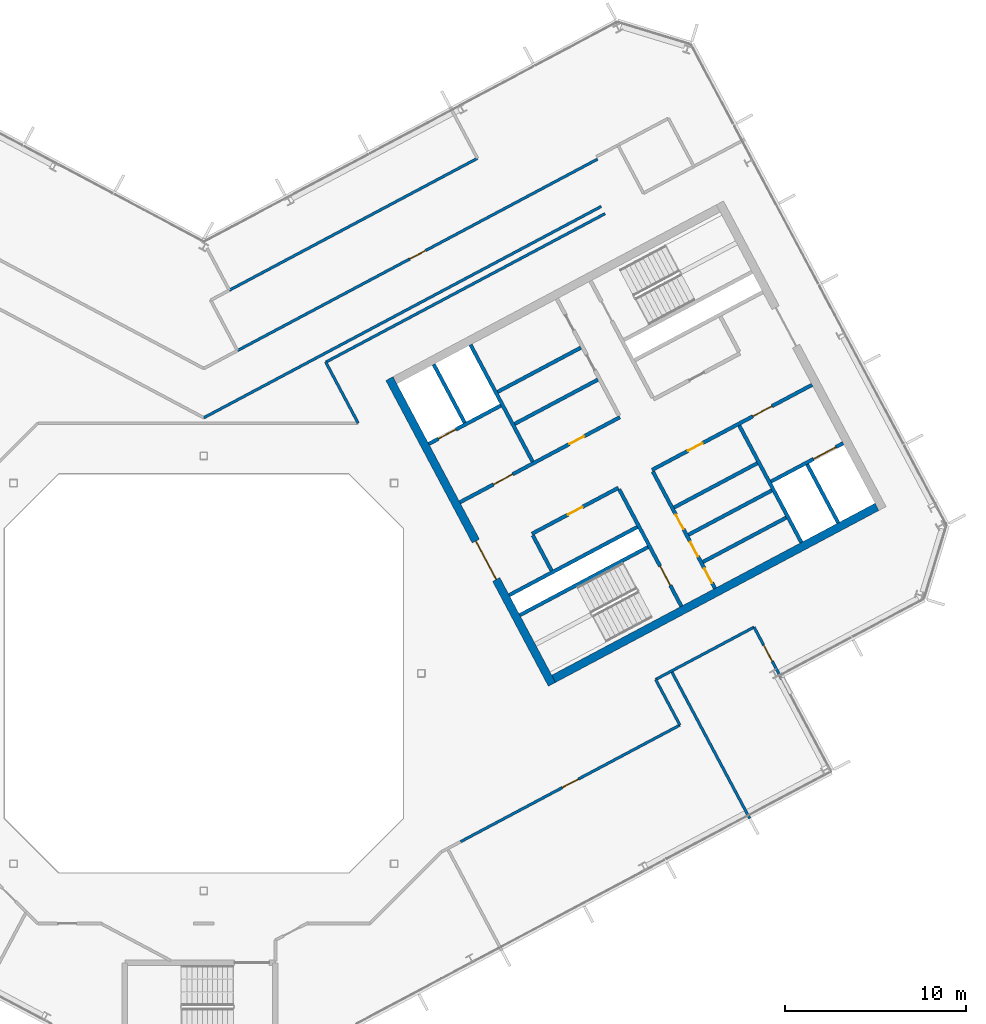
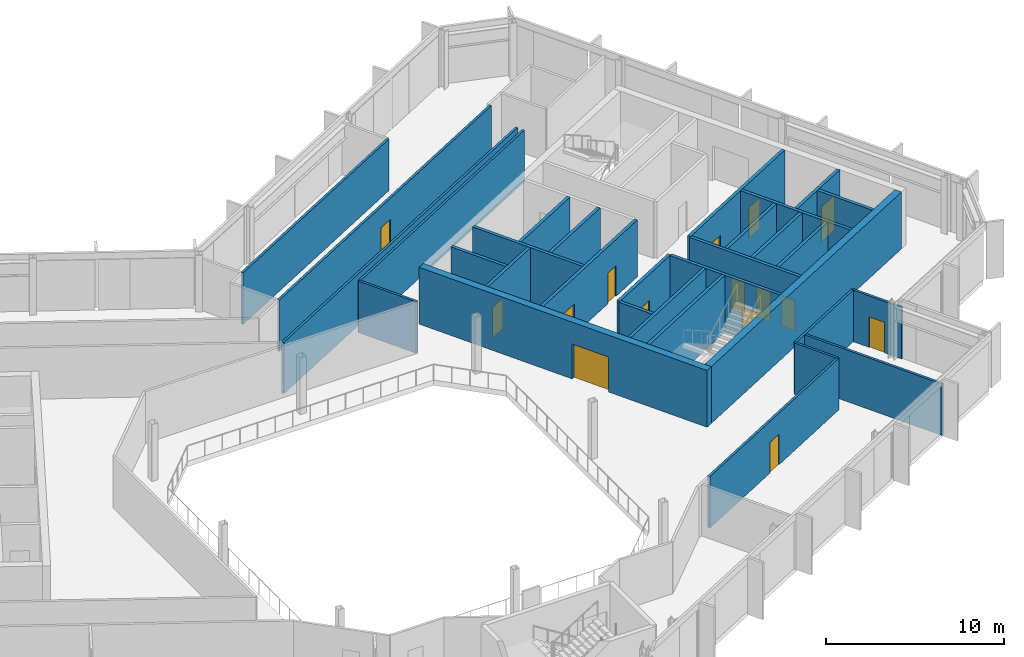
# One storey, part 15 of 25: 31 walls, 15 doors, 15 openings.
"""IFC4 building model written with IfcOpenShell, lengths in metres."""

from ifc_helpers import new_model, si_unit, direction, frame, frame_2d, origin, place, context, subcontext, project, spatial, rectangle, extrude, material, layer, layer_set, type_object, element, fill, save


model = new_model("IFC4")

# Units and contexts
model_context = context("Model", 3, precision=1e-05, world=origin(), true_north=direction((0.0, 1.0)))
body_context = subcontext(model_context, "Body", "Model", "MODEL_VIEW")
ifc_project = project(units=[si_unit("LENGTHUNIT", "METRE"), si_unit("AREAUNIT", "SQUARE_METRE"), si_unit("VOLUMEUNIT", "CUBIC_METRE"), si_unit("PLANEANGLEUNIT", "RADIAN"), si_unit("MASSUNIT", "GRAM", prefix="KILO")], contexts=[model_context])

# Site, building, storey
site_placement = place(None, origin())
site = spatial("IfcSite", under=ifc_project, at=site_placement, CompositionType="ELEMENT")
building_placement = place(site_placement, origin())
building = spatial("IfcBuilding", under=site, at=building_placement, Name="Cormorant Relay Tower", CompositionType="ELEMENT")
storey_placement = place(building_placement, frame((0.0, 0.0, 289.199951171875)))
storey = spatial("IfcBuildingStorey", under=building, at=storey_placement, Name="L65", CompositionType="ELEMENT", Elevation=289.199951171875)

# Walls
ifc_material_1 = material(Name="Concrete 40 MPa", Category="concrete")
ifc_layer_1 = layer(ifc_material_1, 0.199951171875)
ifc_layer_set_1 = layer_set([ifc_layer_1], Name="Core internal wall 200")
wall_type_1 = type_object("IfcWallType", Name="Core internal wall 200", PredefinedType="SOLIDWALL", material=ifc_layer_set_1)
for number, where, z_axis, x_axis, name in (
    (1, (27.537109375, 6.1474609375, 0.0), (0.0, 0.0, 1.0), (0.882934506056, 0.469496174655, 0.0), "L65 core B shaft and room wall"),
    (2, (26.739013671875, 7.6484375, 0.0), (0.0, 0.0, 1.0), (0.882934506056, 0.469496174655, 0.0), "L65 core B shaft and room wall"),
    (3, (16.2080078125, 15.526611328125, 0.0), (0.0, 0.0, 1.0), (0.882953967957, 0.469459572775, 0.0), "L65 core B shaft and room wall"),
):
    element("IfcWall", number, at=place(storey_placement, frame(where, z_axis=z_axis, x_axis=x_axis)), inside=storey, type_object=wall_type_1, Name=name, PredefinedType="SOLIDWALL", context=body_context, shape_type="SweptSolid", body=[
        extrude(rectangle(XDim=5.199951171875, YDim=0.199951171875, at=frame_2d((2.60009765625, 0.0))), origin(), (0.0, 0.0, 1.0), 3.900146484375),
    ])
ifc_material_2 = material(Name="Concrete 50 MPa", Category="concrete")
ifc_layer_2 = layer(ifc_material_2, 0.199951171875)
ifc_layer_set_2 = layer_set([ifc_layer_2], Name="Core shaft wall 200")
wall_type_2 = type_object("IfcWallType", Name="Core shaft wall 200", PredefinedType="SHEAR", material=ifc_layer_set_2)
wall_1_placement = place(storey_placement, frame((14.39404296875, 13.825927734375, 0.0), z_axis=(0.0, 0.0, 1.0), x_axis=(-0.469494272526, 0.882935517501, 0.0)))
element("IfcWall", 4, at=wall_1_placement, inside=storey, type_object=wall_type_2, Name="L65 core B shaft wall", PredefinedType="SHEAR", context=body_context, shape_type="SweptSolid", body=[
    extrude(rectangle(XDim=3.64990234375, YDim=0.199951171875, at=frame_2d((1.824951171875, 0.0))), origin(), (0.0, 0.0, 1.0), 3.900146484375),
])
wall_2_placement = place(storey_placement, frame((19.18359375, 5.669921875, 0.0), z_axis=(0.0, 0.0, 1.0), x_axis=(-0.4694473164, 0.882960484464, 0.0)))
element("IfcWall", 5, at=wall_2_placement, inside=storey, type_object=wall_type_2, Name="L65 core B shaft wall", PredefinedType="SHEAR", context=body_context, shape_type="SweptSolid", body=[
    extrude(rectangle(XDim=2.199951171875, YDim=0.199951171875, at=frame_2d((1.10009765625, 0.0))), origin(), (0.0, 0.0, 1.0), 3.900146484375),
])
wall_3_placement = place(storey_placement, frame((18.138427734375, 11.682861328125, 0.0), z_axis=(0.0, 0.0, 1.0), x_axis=(-0.469480409012, 0.88294288918, 0.0)))
element("IfcWall", 6, at=wall_3_placement, inside=storey, type_object=wall_type_2, Name="L65 core B shaft wall", PredefinedType="SHEAR", context=body_context, shape_type="SweptSolid", body=[
    extrude(rectangle(XDim=7.300048828125, YDim=0.199951171875, at=frame_2d((3.64990234375, 0.0))), origin(), (0.0, 0.0, 1.0), 3.900146484375),
])

# Wall, opening, door
wall_4_placement = place(storey_placement, frame((26.345947265625, 3.701904296875, 0.0), z_axis=(0.0, 0.0, 1.0), x_axis=(-0.469480409012, 0.88294288918, 0.0)))
wall_4 = element("IfcWall", 7, at=wall_4_placement, inside=storey, type_object=wall_type_2, Name="L65 core B shaft wall", PredefinedType="SHEAR", context=body_context, shape_type="SweptSolid", body=[
    extrude(rectangle(XDim=7.300048828125, YDim=0.199951171875, at=frame_2d((3.64990234375, 0.0))), origin(), (0.0, 0.0, 1.0), 3.900146484375),
])
opening_1_placement = place(wall_4_placement, frame((1.300048828125, 0.0, 0.0)))
opening_1 = element("IfcOpeningElement", 8, at=opening_1_placement, cuts=wall_4, Name="Opening CDB-040", PredefinedType="OPENING", context=body_context, shape_type="SweptSolid", body=[
    extrude(rectangle(XDim=1.199951171875, YDim=2.10009765625, at=frame_2d((0.60009765625, 1.050048828125))), frame((0.0, 0.10986328125, 0.0), z_axis=(0.0, -1.0, 0.0), x_axis=(1.0, 0.0, 0.0)), (0.0, 0.0, 1.0), 0.219970703125),
])
ifc_material_3 = material(Name="Steel fire door", Category="steel")
door_type_1 = type_object("IfcDoorType", Name="Core stair door 1200x2100", OperationType="SINGLE_SWING_LEFT", PredefinedType="DOOR", material=ifc_material_3)
door_1_placement = place(opening_1_placement, origin())
door_1 = element("IfcDoor", 9, at=door_1_placement, inside=storey, type_object=door_type_1, Name="Core stair door 1200x2100", OperationType="SINGLE_SWING_RIGHT", OverallHeight=2.10009765625, OverallWidth=1.199951171875, PredefinedType="DOOR", context=body_context, shape_type="SweptSolid", body=[
    extrude(rectangle(XDim=1.199951171875, YDim=2.10009765625, at=frame_2d((0.60009765625, 1.050048828125))), frame((0.0, 0.02490234375, 0.0), z_axis=(0.0, -1.0, 0.0), x_axis=(1.0, 0.0, 0.0)), (0.0, 0.0, 1.0), 0.050048828125),
])
fill(opening_1, door_1)

# Wall, openings, doors
wall_5_placement = place(storey_placement, frame((28.199951171875, 4.687744140625, 0.0), z_axis=(0.0, 0.0, 1.0), x_axis=(-0.469454336211, 0.882956752176, 0.0)))
wall_5 = element("IfcWall", 10, at=wall_5_placement, inside=storey, type_object=wall_type_2, Name="L65 core B shaft wall", PredefinedType="SHEAR", context=body_context, shape_type="SweptSolid", body=[
    extrude(rectangle(XDim=7.300048828125, YDim=0.199951171875, at=frame_2d((3.64990234375, 0.0))), origin(), (0.0, 0.0, 1.0), 3.900146484375),
])
opening_2_placement = place(wall_5_placement, frame((0.35009765625, 0.0, 0.0)))
opening_2 = element("IfcOpeningElement", 11, at=opening_2_placement, cuts=wall_5, Name="Opening CDD-334", PredefinedType="OPENING", context=body_context, shape_type="SweptSolid", body=[
    extrude(rectangle(XDim=0.89990234375, YDim=2.10009765625, at=frame_2d((0.449951171875, 1.050048828125))), frame((0.0, 0.10986328125, 0.0), z_axis=(0.0, -1.0, 0.0), x_axis=(1.0, 0.0, 0.0)), (0.0, 0.0, 1.0), 0.219970703125),
])
opening_3_placement = place(wall_5_placement, frame((2.0, 0.0, 0.0)))
opening_3 = element("IfcOpeningElement", 12, at=opening_3_placement, cuts=wall_5, Name="Opening CDD-335", PredefinedType="OPENING", context=body_context, shape_type="SweptSolid", body=[
    extrude(rectangle(XDim=0.89990234375, YDim=2.10009765625, at=frame_2d((0.449951171875, 1.050048828125))), frame((0.0, 0.10986328125, 0.0), z_axis=(0.0, -1.0, 0.0), x_axis=(1.0, 0.0, 0.0)), (0.0, 0.0, 1.0), 0.219970703125),
])
opening_4_placement = place(wall_5_placement, frame((3.699951171875, 0.0, 0.0)))
opening_4 = element("IfcOpeningElement", 13, at=opening_4_placement, cuts=wall_5, Name="Opening CDD-336", PredefinedType="OPENING", context=body_context, shape_type="SweptSolid", body=[
    extrude(rectangle(XDim=0.89990234375, YDim=2.10009765625, at=frame_2d((0.449951171875, 1.050048828125))), frame((0.0, 0.10986328125, 0.0), z_axis=(0.0, -1.0, 0.0), x_axis=(1.0, 0.0, 0.0)), (0.0, 0.0, 1.0), 0.219970703125),
])
ifc_material_4 = material(Name="Steel fire door", Category="steel")
door_type_2 = type_object("IfcDoorType", Name="Core room door 900x2100", OperationType="SINGLE_SWING_LEFT", PredefinedType="DOOR", material=ifc_material_4)
door_2_placement = place(opening_2_placement, frame((0.89990234375, 0.0, 0.0), z_axis=(0.0, 0.0, 1.0), x_axis=(-1.0, 0.0, 0.0)))
door_2 = element("IfcDoor", 14, at=door_2_placement, inside=storey, type_object=door_type_2, Name="Core room door 900x2100", OperationType="SINGLE_SWING_LEFT", OverallHeight=2.10009765625, OverallWidth=0.89990234375, PredefinedType="DOOR", context=body_context, shape_type="SweptSolid", body=[
    extrude(rectangle(XDim=0.89990234375, YDim=2.10009765625, at=frame_2d((0.449951171875, 1.050048828125))), frame((0.0, 0.02490234375, 0.0), z_axis=(0.0, -1.0, 0.0), x_axis=(1.0, 0.0, 0.0)), (0.0, 0.0, 1.0), 0.050048828125),
])
fill(opening_2, door_2)
door_3_placement = place(opening_3_placement, frame((0.89990234375, 0.0, 0.0), z_axis=(0.0, 0.0, 1.0), x_axis=(-1.0, 0.0, 0.0)))
door_3 = element("IfcDoor", 15, at=door_3_placement, inside=storey, type_object=door_type_2, Name="Core room door 900x2100", OperationType="SINGLE_SWING_LEFT", OverallHeight=2.10009765625, OverallWidth=0.89990234375, PredefinedType="DOOR", context=body_context, shape_type="SweptSolid", body=[
    extrude(rectangle(XDim=0.89990234375, YDim=2.10009765625, at=frame_2d((0.449951171875, 1.050048828125))), frame((0.0, 0.02490234375, 0.0), z_axis=(0.0, -1.0, 0.0), x_axis=(1.0, 0.0, 0.0)), (0.0, 0.0, 1.0), 0.050048828125),
])
fill(opening_3, door_3)
door_4_placement = place(opening_4_placement, frame((0.89990234375, 0.0, 0.0), z_axis=(0.0, 0.0, 1.0), x_axis=(-1.0, 0.0, 0.0)))
door_4 = element("IfcDoor", 16, at=door_4_placement, inside=storey, type_object=door_type_2, Name="Core room door 900x2100", OperationType="SINGLE_SWING_LEFT", OverallHeight=2.10009765625, OverallWidth=0.89990234375, PredefinedType="DOOR", context=body_context, shape_type="SweptSolid", body=[
    extrude(rectangle(XDim=0.89990234375, YDim=2.10009765625, at=frame_2d((0.449951171875, 1.050048828125))), frame((0.0, 0.02490234375, 0.0), z_axis=(0.0, -1.0, 0.0), x_axis=(1.0, 0.0, 0.0)), (0.0, 0.0, 1.0), 0.050048828125),
])
fill(opening_4, door_4)

# Walls
wall_6_placement = place(storey_placement, frame((32.968017578125, 7.222900390625, 0.0), z_axis=(0.0, 0.0, 1.0), x_axis=(-0.469480409012, 0.88294288918, 0.0)))
element("IfcWall", 17, at=wall_6_placement, inside=storey, type_object=wall_type_2, Name="L65 core B shaft wall", PredefinedType="SHEAR", context=body_context, shape_type="SweptSolid", body=[
    extrude(rectangle(XDim=7.300048828125, YDim=0.199951171875, at=frame_2d((3.64990234375, 0.0))), origin(), (0.0, 0.0, 1.0), 3.900146484375),
])
wall_7_placement = place(storey_placement, frame((34.998779296875, 8.302734375, 0.0), z_axis=(0.0, 0.0, 1.0), x_axis=(-0.4694665462, 0.882950260207, 0.0)))
element("IfcWall", 18, at=wall_7_placement, inside=storey, type_object=wall_type_2, Name="L65 core B shaft wall", PredefinedType="SHEAR", context=body_context, shape_type="SweptSolid", body=[
    extrude(rectangle(XDim=3.650146484375, YDim=0.199951171875, at=frame_2d((1.8251953125, 0.0))), origin(), (0.0, 0.0, 1.0), 3.900146484375),
])
wall_8_placement = place(storey_placement, frame((17.43359375, 3.210205078125, 0.0), z_axis=(0.0, 0.0, 1.0), x_axis=(0.882940221191, 0.469485426614, 0.0)))
element("IfcWall", 19, at=wall_8_placement, inside=storey, type_object=wall_type_2, Name="L65 core B shaft wall", PredefinedType="SHEAR", context=body_context, shape_type="SweptSolid", body=[
    extrude(rectangle(XDim=8.0, YDim=0.199951171875, at=frame_2d((4.0, 0.0))), origin(), (0.0, 0.0, 1.0), 3.900146484375),
])

# Wall, opening, door
wall_9_placement = place(storey_placement, frame((31.295654296875, 10.5810546875, 0.0), z_axis=(0.0, 0.0, 1.0), x_axis=(0.882960433586, 0.469447412093, 0.0)))
wall_9 = element("IfcWall", 20, at=wall_9_placement, inside=storey, type_object=wall_type_2, Name="L65 core B shaft wall", PredefinedType="SHEAR", context=body_context, shape_type="SweptSolid", body=[
    extrude(rectangle(XDim=4.5, YDim=0.199951171875, at=frame_2d((2.25, 0.0))), origin(), (0.0, 0.0, 1.0), 3.900146484375),
])
opening_5_placement = place(wall_9_placement, frame((2.64990234375, 0.0, 0.0)))
opening_5 = element("IfcOpeningElement", 21, at=opening_5_placement, cuts=wall_9, Name="Opening LD3-016", PredefinedType="OPENING", context=body_context, shape_type="SweptSolid", body=[
    extrude(rectangle(XDim=1.39990234375, YDim=2.39990234375, at=frame_2d((0.699951171875, 1.199951171875))), frame((0.0, 0.10986328125, 0.0), z_axis=(0.0, -1.0, 0.0), x_axis=(1.0, 0.0, 0.0)), (0.0, 0.0, 1.0), 0.219970703125),
])
ifc_material_5 = material(Name="Stainless steel 316", Category="steel")
door_type_3 = type_object("IfcDoorType", Name="Lift landing door 1400x2400", OperationType="DOUBLE_DOOR_SLIDING", PredefinedType="DOOR", material=ifc_material_5)
door_5_placement = place(opening_5_placement, origin())
door_5 = element("IfcDoor", 22, at=door_5_placement, inside=storey, type_object=door_type_3, Name="SV2 landing door", OperationType="DOUBLE_DOOR_SLIDING", OverallHeight=2.39990234375, OverallWidth=1.39990234375, PredefinedType="DOOR", context=body_context, shape_type="SweptSolid", body=[
    extrude(rectangle(XDim=1.39990234375, YDim=2.39990234375, at=frame_2d((0.699951171875, 1.199951171875))), frame((0.0, 0.02490234375, 0.0), z_axis=(0.0, -1.0, 0.0), x_axis=(1.0, 0.0, 0.0)), (0.0, 0.0, 1.0), 0.050048828125),
])
fill(opening_5, door_5)

# Walls
wall_10_placement = place(storey_placement, frame((16.8466796875, 4.31396484375, 0.0), z_axis=(0.0, 0.0, 1.0), x_axis=(0.882940221191, 0.469485426614, 0.0)))
element("IfcWall", 23, at=wall_10_placement, inside=storey, type_object=wall_type_2, Name="L65 core B shaft wall", PredefinedType="SHEAR", context=body_context, shape_type="SweptSolid", body=[
    extrude(rectangle(XDim=8.0, YDim=0.199951171875, at=frame_2d((4.0, 0.0))), origin(), (0.0, 0.0, 1.0), 3.900146484375),
])
wall_11_placement = place(storey_placement, frame((25.94091796875, 9.149658203125, 0.0), z_axis=(0.0, 0.0, 1.0), x_axis=(0.882953967957, 0.469459572775, 0.0)))
element("IfcWall", 24, at=wall_11_placement, inside=storey, type_object=wall_type_2, Name="L65 core B shaft wall", PredefinedType="SHEAR", context=body_context, shape_type="SweptSolid", body=[
    extrude(rectangle(XDim=5.199951171875, YDim=0.199951171875, at=frame_2d((2.60009765625, 0.0))), origin(), (0.0, 0.0, 1.0), 3.900146484375),
])

# Wall, opening, door
wall_12_placement = place(storey_placement, frame((18.103759765625, 7.70068359375, 0.0), z_axis=(0.0, 0.0, 1.0), x_axis=(0.882952937579, 0.469461510692, 0.0)))
wall_12 = element("IfcWall", 25, at=wall_12_placement, inside=storey, type_object=wall_type_2, Name="L65 core B shaft wall", PredefinedType="SHEAR", context=body_context, shape_type="SweptSolid", body=[
    extrude(rectangle(XDim=5.400146484375, YDim=0.199951171875, at=frame_2d((2.7001953125, 0.0))), origin(), (0.0, 0.0, 1.0), 3.900146484375),
])
opening_6_placement = place(wall_12_placement, frame((2.25, 0.0, 0.0)))
opening_6 = element("IfcOpeningElement", 26, at=opening_6_placement, cuts=wall_12, Name="Opening CDD-262", PredefinedType="OPENING", context=body_context, shape_type="SweptSolid", body=[
    extrude(rectangle(XDim=0.89990234375, YDim=2.10009765625, at=frame_2d((0.449951171875, 1.050048828125))), frame((0.0, 0.10986328125, 0.0), z_axis=(0.0, -1.0, 0.0), x_axis=(1.0, 0.0, 0.0)), (0.0, 0.0, 1.0), 0.219970703125),
])
door_6_placement = place(opening_6_placement, frame((0.89990234375, 0.0, 0.0), z_axis=(0.0, 0.0, 1.0), x_axis=(-1.0, 0.0, 0.0)))
door_6 = element("IfcDoor", 27, at=door_6_placement, inside=storey, type_object=door_type_2, Name="Core room door 900x2100", OperationType="SINGLE_SWING_RIGHT", OverallHeight=2.10009765625, OverallWidth=0.89990234375, PredefinedType="DOOR", context=body_context, shape_type="SweptSolid", body=[
    extrude(rectangle(XDim=0.89990234375, YDim=2.10009765625, at=frame_2d((0.449951171875, 1.050048828125))), frame((0.0, 0.02490234375, 0.0), z_axis=(0.0, -1.0, 0.0), x_axis=(1.0, 0.0, 0.0)), (0.0, 0.0, 1.0), 0.050048828125),
])
fill(opening_6, door_6)

# Wall, openings, doors
wall_13_placement = place(storey_placement, frame((24.72607421875, 11.2216796875, 0.0), z_axis=(0.0, 0.0, 1.0), x_axis=(0.882940221191, 0.469485426614, 0.0)))
wall_13 = element("IfcWall", 28, at=wall_13_placement, inside=storey, type_object=wall_type_2, Name="L65 core B shaft wall", PredefinedType="SHEAR", context=body_context, shape_type="SweptSolid", body=[
    extrude(rectangle(XDim=10.0, YDim=0.199951171875, at=frame_2d((5.0, 0.0))), origin(), (0.0, 0.0, 1.0), 3.900146484375),
])
opening_7_placement = place(wall_13_placement, frame((6.300048828125, 0.0, 0.0)))
opening_7 = element("IfcOpeningElement", 29, at=opening_7_placement, cuts=wall_13, Name="Opening CDC-038", PredefinedType="OPENING", context=body_context, shape_type="SweptSolid", body=[
    extrude(rectangle(XDim=1.199951171875, YDim=2.10009765625, at=frame_2d((0.60009765625, 1.050048828125))), frame((0.0, 0.10986328125, 0.0), z_axis=(0.0, -1.0, 0.0), x_axis=(1.0, 0.0, 0.0)), (0.0, 0.0, 1.0), 0.219970703125),
])
opening_8_placement = place(wall_13_placement, frame((2.25, 0.0, 0.0)))
opening_8 = element("IfcOpeningElement", 30, at=opening_8_placement, cuts=wall_13, Name="Opening CDD-332", PredefinedType="OPENING", context=body_context, shape_type="SweptSolid", body=[
    extrude(rectangle(XDim=0.89990234375, YDim=2.10009765625, at=frame_2d((0.449951171875, 1.050048828125))), frame((0.0, 0.10986328125, 0.0), z_axis=(0.0, -1.0, 0.0), x_axis=(1.0, 0.0, 0.0)), (0.0, 0.0, 1.0), 0.219970703125),
])
ifc_material_6 = material(Name="Steel fire door", Category="steel")
door_type_4 = type_object("IfcDoorType", Name="Core lobby door 1200x2100", OperationType="SINGLE_SWING_LEFT", PredefinedType="DOOR", material=ifc_material_6)
door_7_placement = place(opening_7_placement, origin())
door_7 = element("IfcDoor", 31, at=door_7_placement, inside=storey, type_object=door_type_4, Name="Core lobby door 1200x2100", OperationType="SINGLE_SWING_LEFT", OverallHeight=2.10009765625, OverallWidth=1.199951171875, PredefinedType="DOOR", context=body_context, shape_type="SweptSolid", body=[
    extrude(rectangle(XDim=1.199951171875, YDim=2.10009765625, at=frame_2d((0.60009765625, 1.050048828125))), frame((0.0, 0.02490234375, 0.0), z_axis=(0.0, -1.0, 0.0), x_axis=(1.0, 0.0, 0.0)), (0.0, 0.0, 1.0), 0.050048828125),
])
fill(opening_7, door_7)
door_8_placement = place(opening_8_placement, origin())
door_8 = element("IfcDoor", 32, at=door_8_placement, inside=storey, type_object=door_type_2, Name="Core room door 900x2100", OperationType="SINGLE_SWING_LEFT", OverallHeight=2.10009765625, OverallWidth=0.89990234375, PredefinedType="DOOR", context=body_context, shape_type="SweptSolid", body=[
    extrude(rectangle(XDim=0.89990234375, YDim=2.10009765625, at=frame_2d((0.449951171875, 1.050048828125))), frame((0.0, 0.02490234375, 0.0), z_axis=(0.0, -1.0, 0.0), x_axis=(1.0, 0.0, 0.0)), (0.0, 0.0, 1.0), 0.050048828125),
])
fill(opening_8, door_8)

wall_14_placement = place(storey_placement, frame((14.123779296875, 9.43505859375, 0.0), z_axis=(0.0, 0.0, 1.0), x_axis=(0.882940221191, 0.469485426614, 0.0)))
wall_14 = element("IfcWall", 33, at=wall_14_placement, inside=storey, type_object=wall_type_2, Name="L65 core B shaft wall", PredefinedType="SHEAR", context=body_context, shape_type="SweptSolid", body=[
    extrude(rectangle(XDim=10.0, YDim=0.199951171875, at=frame_2d((5.0, 0.0))), origin(), (0.0, 0.0, 1.0), 3.900146484375),
])
opening_9_placement = place(wall_14_placement, frame((2.10009765625, 0.0, 0.0)))
opening_9 = element("IfcOpeningElement", 34, at=opening_9_placement, cuts=wall_14, Name="Opening CDC-037", PredefinedType="OPENING", context=body_context, shape_type="SweptSolid", body=[
    extrude(rectangle(XDim=1.199951171875, YDim=2.10009765625, at=frame_2d((0.60009765625, 1.050048828125))), frame((0.0, 0.10986328125, 0.0), z_axis=(0.0, -1.0, 0.0), x_axis=(1.0, 0.0, 0.0)), (0.0, 0.0, 1.0), 0.219970703125),
])
opening_10_placement = place(wall_14_placement, frame((6.85009765625, 0.0, 0.0)))
opening_10 = element("IfcOpeningElement", 35, at=opening_10_placement, cuts=wall_14, Name="Opening CDD-260", PredefinedType="OPENING", context=body_context, shape_type="SweptSolid", body=[
    extrude(rectangle(XDim=0.89990234375, YDim=2.10009765625, at=frame_2d((0.449951171875, 1.050048828125))), frame((0.0, 0.10986328125, 0.0), z_axis=(0.0, -1.0, 0.0), x_axis=(1.0, 0.0, 0.0)), (0.0, 0.0, 1.0), 0.219970703125),
])
door_9_placement = place(opening_9_placement, origin())
door_9 = element("IfcDoor", 36, at=door_9_placement, inside=storey, type_object=door_type_4, Name="Core lobby door 1200x2100", OperationType="SINGLE_SWING_RIGHT", OverallHeight=2.10009765625, OverallWidth=1.199951171875, PredefinedType="DOOR", context=body_context, shape_type="SweptSolid", body=[
    extrude(rectangle(XDim=1.199951171875, YDim=2.10009765625, at=frame_2d((0.60009765625, 1.050048828125))), frame((0.0, 0.02490234375, 0.0), z_axis=(0.0, -1.0, 0.0), x_axis=(1.0, 0.0, 0.0)), (0.0, 0.0, 1.0), 0.050048828125),
])
fill(opening_9, door_9)
door_10_placement = place(opening_10_placement, origin())
door_10 = element("IfcDoor", 37, at=door_10_placement, inside=storey, type_object=door_type_2, Name="Core room door 900x2100", OperationType="SINGLE_SWING_LEFT", OverallHeight=2.10009765625, OverallWidth=0.89990234375, PredefinedType="DOOR", context=body_context, shape_type="SweptSolid", body=[
    extrude(rectangle(XDim=0.89990234375, YDim=2.10009765625, at=frame_2d((0.449951171875, 1.050048828125))), frame((0.0, 0.02490234375, 0.0), z_axis=(0.0, -1.0, 0.0), x_axis=(1.0, 0.0, 0.0)), (0.0, 0.0, 1.0), 0.050048828125),
])
fill(opening_10, door_10)

# Wall
wall_15_placement = place(storey_placement, frame((17.146728515625, 13.7607421875, 0.0), z_axis=(0.0, 0.0, 1.0), x_axis=(0.882964314875, 0.469440111896, 0.0)))
element("IfcWall", 38, at=wall_15_placement, inside=storey, type_object=wall_type_2, Name="L65 core B shaft wall", PredefinedType="SHEAR", context=body_context, shape_type="SweptSolid", body=[
    extrude(rectangle(XDim=5.2001953125, YDim=0.199951171875, at=frame_2d((2.60009765625, 0.0))), origin(), (0.0, 0.0, 1.0), 3.900146484375),
])

# Wall, opening, door
wall_16_placement = place(storey_placement, frame((12.41015625, 12.657958984375, 0.0), z_axis=(0.0, 0.0, 1.0), x_axis=(0.8829484765, 0.469469900894, 0.0)))
wall_16 = element("IfcWall", 39, at=wall_16_placement, inside=storey, type_object=wall_type_2, Name="L65 core B shaft wall", PredefinedType="SHEAR", context=body_context, shape_type="SweptSolid", body=[
    extrude(rectangle(XDim=4.499755859375, YDim=0.199951171875, at=frame_2d((2.25, 0.0))), origin(), (0.0, 0.0, 1.0), 3.900146484375),
])
opening_11_placement = place(wall_16_placement, frame((0.60009765625, 0.0, 0.0)))
opening_11 = element("IfcOpeningElement", 40, at=opening_11_placement, cuts=wall_16, Name="Opening LD1-064", PredefinedType="OPENING", context=body_context, shape_type="SweptSolid", body=[
    extrude(rectangle(XDim=1.10009765625, YDim=2.10009765625, at=frame_2d((0.550048828125, 1.050048828125))), frame((0.0, 0.10986328125, 0.0), z_axis=(0.0, -1.0, 0.0), x_axis=(1.0, 0.0, 0.0)), (0.0, 0.0, 1.0), 0.219970703125),
])
ifc_material_7 = material(Name="Stainless steel 316", Category="steel")
door_type_5 = type_object("IfcDoorType", Name="Lift landing door 1100x2100", OperationType="DOUBLE_DOOR_SLIDING", PredefinedType="DOOR", material=ifc_material_7)
door_11_placement = place(opening_11_placement, origin())
door_11 = element("IfcDoor", 41, at=door_11_placement, inside=storey, type_object=door_type_5, Name="FF2 landing door", OperationType="DOUBLE_DOOR_SLIDING", OverallHeight=2.10009765625, OverallWidth=1.10009765625, PredefinedType="DOOR", context=body_context, shape_type="SweptSolid", body=[
    extrude(rectangle(XDim=1.10009765625, YDim=2.10009765625, at=frame_2d((0.550048828125, 1.050048828125))), frame((0.0, 0.02490234375, 0.0), z_axis=(0.0, -1.0, 0.0), x_axis=(1.0, 0.0, 0.0)), (0.0, 0.0, 1.0), 0.050048828125),
])
fill(opening_11, door_11)

ifc_material_8 = material(Name="Concrete 50 MPa", Category="concrete")
ifc_layer_3 = layer(ifc_material_8, 0.449951171875)
ifc_layer_set_3 = layer_set([ifc_layer_3], Name="Core wall 450")
wall_type_3 = type_object("IfcWallType", Name="Core wall 450", PredefinedType="SHEAR", material=ifc_layer_set_3)
wall_17_placement = place(storey_placement, frame((19.20654296875, -0.603759765625, 0.0), z_axis=(0.0, 0.0, 1.0), x_axis=(-0.469467968382, 0.882949504028, 0.0)))
wall_17 = element("IfcWall", 42, at=wall_17_placement, inside=storey, type_object=wall_type_3, Name="L65 core B wall", PredefinedType="SHEAR", context=body_context, shape_type="SweptSolid", body=[
    extrude(rectangle(XDim=19.099853515625, YDim=0.449951171875, at=frame_2d((9.5498046875, 0.0))), origin(), (0.0, 0.0, 1.0), 3.900146484375),
])
opening_12_placement = place(wall_17_placement, frame((6.550048828125, 0.0, 0.0)))
opening_12 = element("IfcOpeningElement", 43, at=opening_12_placement, cuts=wall_17, Name="Opening CDA-055", PredefinedType="OPENING", context=body_context, shape_type="SweptSolid", body=[
    extrude(rectangle(XDim=2.39990234375, YDim=2.39990234375, at=frame_2d((1.199951171875, 1.199951171875))), frame((0.0, 0.23486328125, 0.0), z_axis=(0.0, -1.0, 0.0), x_axis=(1.0, 0.0, 0.0)), (0.0, 0.0, 1.0), 0.469970703125),
])
ifc_material_9 = material(Name="Steel fire door", Category="steel")
door_type_6 = type_object("IfcDoorType", Name="Core lobby door 2400x2400", OperationType="DOUBLE_DOOR_SINGLE_SWING", PredefinedType="DOOR", material=ifc_material_9)
door_12_placement = place(opening_12_placement, origin())
door_12 = element("IfcDoor", 44, at=door_12_placement, inside=storey, type_object=door_type_6, Name="Core lobby door 2400x2400", OperationType="DOUBLE_DOOR_SINGLE_SWING", OverallHeight=2.39990234375, OverallWidth=2.39990234375, PredefinedType="DOOR", context=body_context, shape_type="SweptSolid", body=[
    extrude(rectangle(XDim=2.39990234375, YDim=2.39990234375, at=frame_2d((1.199951171875, 1.199951171875))), frame((0.0, 0.02490234375, 0.0), z_axis=(0.0, -1.0, 0.0), x_axis=(1.0, 0.0, 0.0)), (0.0, 0.0, 1.0), 0.050048828125),
])
fill(opening_12, door_12)

# Walls
wall_18_placement = place(storey_placement, frame((19.299560546875, -0.29931640625, 0.0), z_axis=(0.0, 0.0, 1.0), x_axis=(0.88295276571, 0.46946183394, 0.0)))
element("IfcWall", 45, at=wall_18_placement, inside=storey, type_object=wall_type_3, Name="L65 core B wall", PredefinedType="SHEAR", context=body_context, shape_type="SweptSolid", body=[
    extrude(rectangle(XDim=20.199951171875, YDim=0.449951171875, at=frame_2d((10.10009765625, 0.0))), origin(), (0.0, 0.0, 1.0), 3.900146484375),
])
ifc_material_10 = material(Name="Gypsum board fire partition")
ifc_layer_4 = layer(ifc_material_10, 0.14990234375)
ifc_layer_set_4 = layer_set([ifc_layer_4], Name="Corridor partition 150 EI 60")
wall_type_4 = type_object("IfcWallType", Name="Corridor partition 150 EI 60", PredefinedType="PARTITIONING", material=ifc_layer_set_4)
wall_19_placement = place(storey_placement, frame((0.0, 14.10009765625, 0.0), z_axis=(0.0, 0.0, 1.0), x_axis=(0.882935523368, 0.469494261493, 0.0)))
element("IfcWall", 46, at=wall_19_placement, inside=storey, type_object=wall_type_4, Name="wall/L65/part/024", PredefinedType="PARTITIONING", context=body_context, shape_type="SweptSolid", body=[
    extrude(rectangle(XDim=24.830810546875, YDim=0.14990234375, at=frame_2d((12.41552734375, 0.0))), origin(), (0.0, 0.0, 1.0), 3.5400390625),
])
wall_20_placement = place(storey_placement, frame((22.135009765625, 25.360107421875, 0.0), z_axis=(0.0, 0.0, 1.0), x_axis=(-0.882945198202, -0.469476066453, 0.0)))
element("IfcWall", 47, at=wall_20_placement, inside=storey, type_object=wall_type_4, Name="wall/L65/part/025", PredefinedType="PARTITIONING", context=body_context, shape_type="SweptSolid", body=[
    extrude(rectangle(XDim=17.449462890625, YDim=0.14990234375, at=frame_2d((8.724609375, 0.0))), origin(), (0.0, 0.0, 1.0), 3.5400390625),
])
wall_21_placement = place(storey_placement, frame((6.72802734375, 17.16796875, 0.0), z_axis=(0.0, 0.0, 1.0), x_axis=(0.469325262013, -0.883025366813, 0.0)))
element("IfcWall", 48, at=wall_21_placement, inside=storey, type_object=wall_type_4, Name="wall/L65/part/026", PredefinedType="PARTITIONING", context=body_context, shape_type="SweptSolid", body=[
    extrude(rectangle(XDim=3.81396484375, YDim=0.14990234375, at=frame_2d((1.906982421875, 0.0))), origin(), (0.0, 0.0, 1.0), 3.5400390625),
])

# Wall, opening, door
wall_22_placement = place(storey_placement, frame((1.864990234375, 17.81103515625, 0.0), z_axis=(0.0, 0.0, 1.0), x_axis=(0.882960942519, 0.469446454866, 0.0)))
wall_22 = element("IfcWall", 49, at=wall_22_placement, inside=storey, type_object=wall_type_4, Name="wall/L65/part/056", PredefinedType="PARTITIONING", context=body_context, shape_type="SweptSolid", body=[
    extrude(rectangle(XDim=22.49267578125, YDim=0.14990234375, at=frame_2d((11.246337890625, 0.0))), origin(), (0.0, 0.0, 1.0), 3.5400390625),
])
opening_13_placement = place(wall_22_placement, frame((10.75, 0.0, 0.0)))
opening_13 = element("IfcOpeningElement", 50, at=opening_13_placement, cuts=wall_22, Name="Opening DS-220", PredefinedType="OPENING", context=body_context, shape_type="SweptSolid", body=[
    extrude(rectangle(XDim=1.0, YDim=2.10009765625, at=frame_2d((0.5, 1.050048828125))), frame((0.0, 0.0849609375, 0.0), z_axis=(0.0, -1.0, 0.0), x_axis=(1.0, 0.0, 0.0)), (0.0, 0.0, 1.0), 0.169921875),
])
ifc_material_11 = material(Name="Timber door leaf", Category="wood")
door_type_7 = type_object("IfcDoorType", Name="Suite door 1000x2100", OperationType="SINGLE_SWING_LEFT", PredefinedType="DOOR", material=ifc_material_11)
door_13_placement = place(opening_13_placement, origin())
door_13 = element("IfcDoor", 51, at=door_13_placement, inside=storey, type_object=door_type_7, Name="door/L65/005", OperationType="SINGLE_SWING_LEFT", OverallHeight=2.10009765625, OverallWidth=1.0, PredefinedType="DOOR", context=body_context, shape_type="SweptSolid", body=[
    extrude(rectangle(XDim=1.0, YDim=2.10009765625, at=frame_2d((0.5, 1.050048828125))), frame((0.0, 0.02490234375, 0.0), z_axis=(0.0, -1.0, 0.0), x_axis=(1.0, 0.0, 0.0)), (0.0, 0.0, 1.0), 0.050048828125),
])
fill(opening_13, door_13)

# Wall
wall_23_placement = place(storey_placement, frame((24.927978515625, -0.341064453125, 0.0), z_axis=(0.0, 0.0, 1.0), x_axis=(0.469412363336, -0.882979067219, 0.0)))
element("IfcWall", 52, at=wall_23_placement, inside=storey, type_object=wall_type_4, Name="wall/L65/part/063", PredefinedType="PARTITIONING", context=body_context, shape_type="SweptSolid", body=[
    extrude(rectangle(XDim=2.845947265625, YDim=0.14990234375, at=frame_2d((1.4228515625, 0.0))), origin(), (0.0, 0.0, 1.0), 3.5400390625),
])

# Wall, opening, door
wall_24_placement = place(storey_placement, frame((26.263916015625, -2.85400390625, 0.0), z_axis=(0.0, 0.0, 1.0), x_axis=(-0.882948799319, -0.469469293757, 0.0)))
wall_24 = element("IfcWall", 53, at=wall_24_placement, inside=storey, type_object=wall_type_4, Name="wall/L65/part/064", PredefinedType="PARTITIONING", context=body_context, shape_type="SweptSolid", body=[
    extrude(rectangle(XDim=13.6962890625, YDim=0.14990234375, at=frame_2d((6.84814453125, 0.0))), origin(), (0.0, 0.0, 1.0), 3.5400390625),
])
opening_14_placement = place(wall_24_placement, frame((6.35009765625, 0.0, 0.0)))
opening_14 = element("IfcOpeningElement", 54, at=opening_14_placement, cuts=wall_24, Name="Opening DS-218", PredefinedType="OPENING", context=body_context, shape_type="SweptSolid", body=[
    extrude(rectangle(XDim=1.0, YDim=2.10009765625, at=frame_2d((0.5, 1.050048828125))), frame((0.0, 0.0849609375, 0.0), z_axis=(0.0, -1.0, 0.0), x_axis=(1.0, 0.0, 0.0)), (0.0, 0.0, 1.0), 0.169921875),
])
door_14_placement = place(opening_14_placement, origin())
door_14 = element("IfcDoor", 55, at=door_14_placement, inside=storey, type_object=door_type_7, Name="door/L65/003", OperationType="SINGLE_SWING_RIGHT", OverallHeight=2.10009765625, OverallWidth=1.0, PredefinedType="DOOR", context=body_context, shape_type="SweptSolid", body=[
    extrude(rectangle(XDim=1.0, YDim=2.10009765625, at=frame_2d((0.5, 1.050048828125))), frame((0.0, 0.02490234375, 0.0), z_axis=(0.0, -1.0, 0.0), x_axis=(1.0, 0.0, 0.0)), (0.0, 0.0, 1.0), 0.050048828125),
])
fill(opening_14, door_14)

wall_25_placement = place(storey_placement, frame((31.89697265625, -0.346923828125, 0.0), z_axis=(0.0, 0.0, 1.0), x_axis=(-0.469630247772, 0.882863200263, 0.0)))
wall_25 = element("IfcWall", 56, at=wall_25_placement, inside=storey, type_object=wall_type_4, Name="wall/L65/part/070", PredefinedType="PARTITIONING", context=body_context, shape_type="SweptSolid", body=[
    extrude(rectangle(XDim=3.28125, YDim=0.14990234375, at=frame_2d((1.640625, 0.0))), origin(), (0.0, 0.0, 1.0), 3.5400390625),
])
opening_15_placement = place(wall_25_placement, frame((1.14990234375, 0.0, 0.0)))
opening_15 = element("IfcOpeningElement", 57, at=opening_15_placement, cuts=wall_25, Name="Opening DS-219", PredefinedType="OPENING", context=body_context, shape_type="SweptSolid", body=[
    extrude(rectangle(XDim=1.0, YDim=2.10009765625, at=frame_2d((0.5, 1.050048828125))), frame((0.0, 0.0849609375, 0.0), z_axis=(0.0, -1.0, 0.0), x_axis=(1.0, 0.0, 0.0)), (0.0, 0.0, 1.0), 0.169921875),
])
door_15_placement = place(opening_15_placement, origin())
door_15 = element("IfcDoor", 58, at=door_15_placement, inside=storey, type_object=door_type_7, Name="door/L65/004", OperationType="SINGLE_SWING_LEFT", OverallHeight=2.10009765625, OverallWidth=1.0, PredefinedType="DOOR", context=body_context, shape_type="SweptSolid", body=[
    extrude(rectangle(XDim=1.0, YDim=2.10009765625, at=frame_2d((0.5, 1.050048828125))), frame((0.0, 0.02490234375, 0.0), z_axis=(0.0, -1.0, 0.0), x_axis=(1.0, 0.0, 0.0)), (0.0, 0.0, 1.0), 0.050048828125),
])
fill(opening_15, door_15)

# Walls
wall_26_placement = place(storey_placement, frame((30.35595703125, 2.550048828125, 0.0), z_axis=(0.0, 0.0, 1.0), x_axis=(-0.882959926014, -0.46944836676, 0.0)))
element("IfcWall", 59, at=wall_26_placement, inside=storey, type_object=wall_type_4, Name="wall/L65/part/071", PredefinedType="PARTITIONING", context=body_context, shape_type="SweptSolid", body=[
    extrude(rectangle(XDim=6.149658203125, YDim=0.14990234375, at=frame_2d((3.07470703125, 0.0))), origin(), (0.0, 0.0, 1.0), 3.5400390625),
])
ifc_material_12 = material(Name="Gypsum board partition")
ifc_layer_5 = layer(ifc_material_12, 0.14990234375)
ifc_layer_set_5 = layer_set([ifc_layer_5], Name="Tenant partition 150")
wall_type_5 = type_object("IfcWallType", Name="Tenant partition 150", PredefinedType="PARTITIONING", material=ifc_layer_set_5)
wall_27_placement = place(storey_placement, frame((1.406005859375, 21.134033203125, 0.0), z_axis=(0.0, 0.0, 1.0), x_axis=(0.88296030725, 0.469447649713, 0.0)))
element("IfcWall", 60, at=wall_27_placement, inside=storey, type_object=wall_type_5, Name="wall/L65/part/054", PredefinedType="PARTITIONING", context=body_context, shape_type="SweptSolid", body=[
    extrude(rectangle(XDim=15.50341796875, YDim=0.14990234375, at=frame_2d((7.751708984375, 0.0))), origin(), (0.0, 0.0, 1.0), 3.5400390625),
])
wall_28_placement = place(storey_placement, frame((25.794921875, 0.1240234375, 0.0), z_axis=(0.0, 0.0, 1.0), x_axis=(0.469388053954, -0.882991990227, 0.0)))
element("IfcWall", 61, at=wall_28_placement, inside=storey, type_object=wall_type_5, Name="wall/L65/part/069", PredefinedType="PARTITIONING", context=body_context, shape_type="SweptSolid", body=[
    extrude(rectangle(XDim=9.199462890625, YDim=0.14990234375, at=frame_2d((4.599609375, 0.0))), origin(), (0.0, 0.0, 1.0), 3.5400390625),
])

save(model, "model.ifc")
